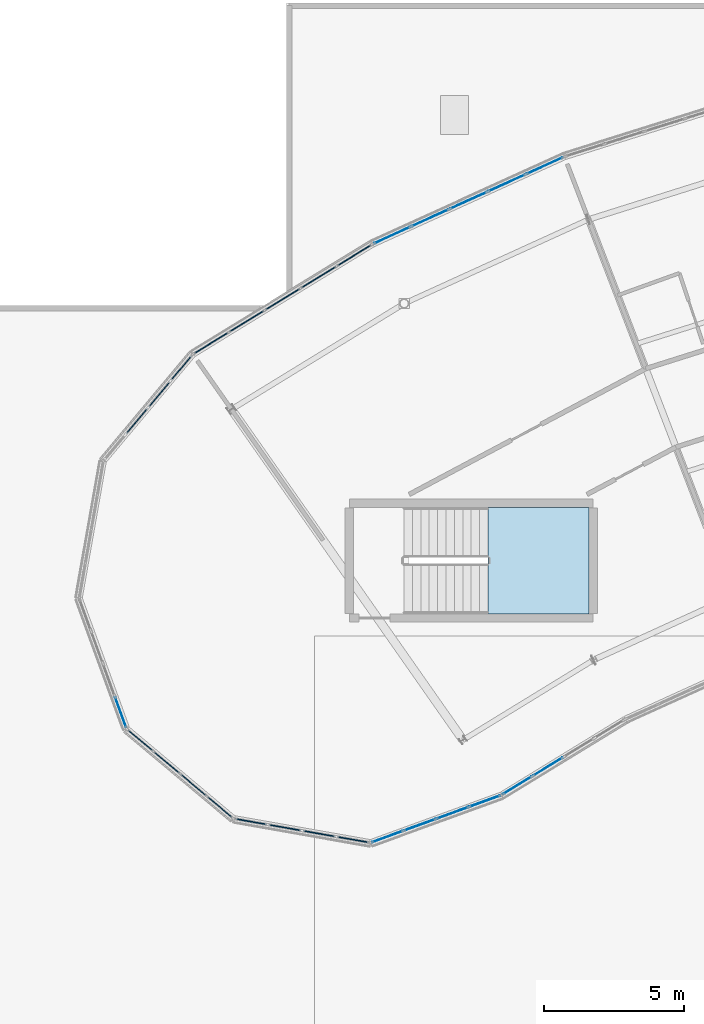
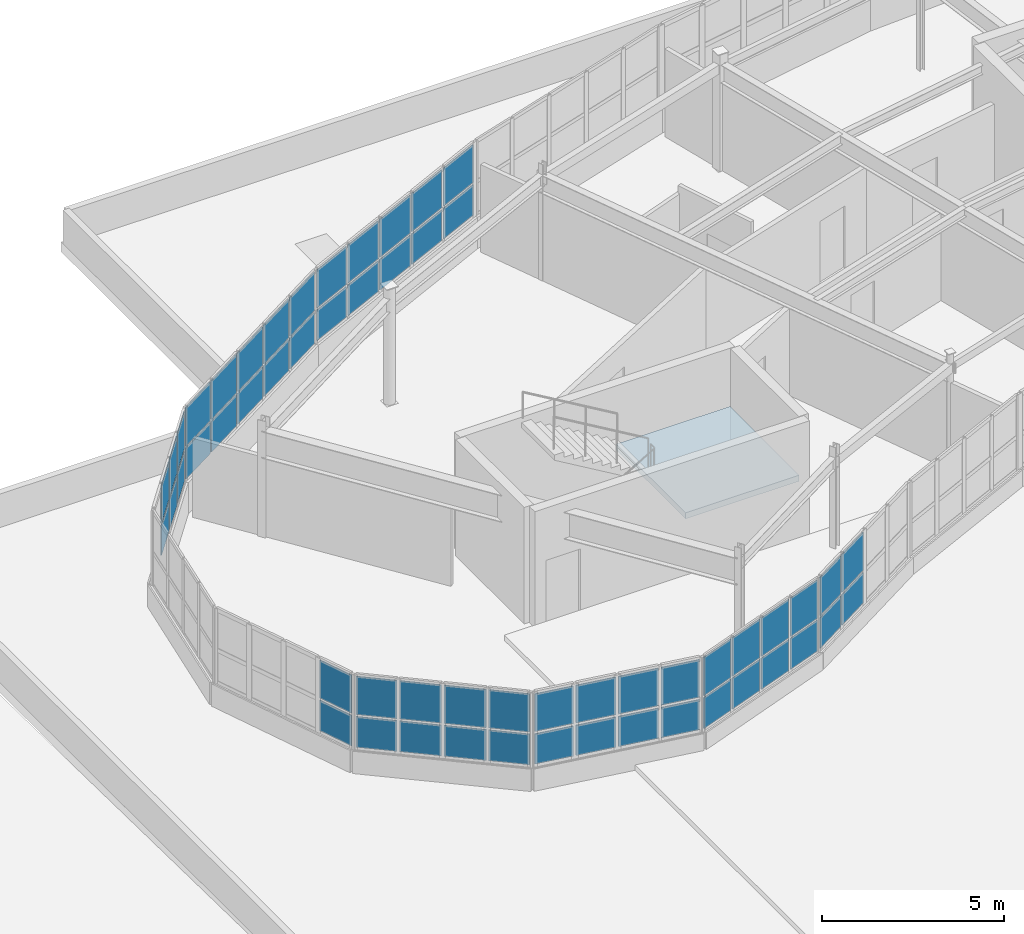
# One storey, part 74 of 128: 56 plates, 1 slab, 9 elements without a shape of their own.
"""IFC4 building model written with IfcOpenShell, lengths in metres."""

from ifc_helpers import new_model, si_unit, direction, frame, origin, origin_2d, place, context, subcontext, project, spatial, polyline, rectangle, outline, extrude, material, layer, layer_set, type_object, element, aggregate, save


model = new_model("IFC4")

# Units and contexts
model_context = context("Model", 3, precision=1e-05, world=origin(), true_north=direction((0.0, 1.0)))
body_context = subcontext(model_context, "Body", "Model", "MODEL_VIEW")
ifc_project = project(units=[si_unit("LENGTHUNIT", "METRE"), si_unit("AREAUNIT", "SQUARE_METRE"), si_unit("VOLUMEUNIT", "CUBIC_METRE"), si_unit("PLANEANGLEUNIT", "RADIAN"), si_unit("MASSUNIT", "GRAM", prefix="KILO")], contexts=[model_context])

# Site, building, storey
site_placement = place(None, origin())
site = spatial("IfcSite", under=ifc_project, at=site_placement, CompositionType="ELEMENT")
building_placement = place(site_placement, origin())
building = spatial("IfcBuilding", under=site, at=building_placement, Name="Tarnwether General Hospital", CompositionType="ELEMENT")
storey_placement = place(building_placement, frame((0.0, 0.0, 14.39990234375)))
storey = spatial("IfcBuildingStorey", under=building, at=storey_placement, Name="L03", CompositionType="ELEMENT", Elevation=14.39990234375)

# Curtain wall, plates
ifc_material_1 = material(Name="Anodised aluminium", Category="aluminium")
ifc_layer_1 = layer(ifc_material_1, 0.159912109375)
ifc_layer_set_1 = layer_set([ifc_layer_1], Name="Anodised aluminium")
curtain_wall_type_1 = type_object("IfcCurtainWallType", Name="CW-03", PredefinedType="NOTDEFINED", material=ifc_layer_set_1)
curtain_wall_1_placement = place(storey_placement, origin())
curtain_wall_1 = element("IfcCurtainWall", 1, at=curtain_wall_1_placement, inside=storey, type_object=curtain_wall_type_1, Name="Curtain Wall CWG-L03-543_1001-0002", PredefinedType="NOTDEFINED")
ifc_material_2 = material(Name="Double glazed low-E glass", Category="glass")
ifc_layer_2 = layer(ifc_material_2, 0.028076171875)
ifc_layer_set_2 = layer_set([ifc_layer_2], Name="Double glazed low-E glass")
plate_type_1 = type_object("IfcPlateType", Name="PT-CWP1", PredefinedType="CURTAIN_PANEL", material=ifc_layer_set_2)
plate_1_placement = place(storey_placement, frame((54.091552734375, 100.690185546875, 1.1201171875), z_axis=(0.0, 0.0, 1.0), x_axis=(-0.341953136469, 0.939717006582, 0.0)))
plate_1 = element("IfcPlate", 2, at=plate_1_placement, type_object=plate_type_1, Name="CW-03 panel 1.1", PredefinedType="CURTAIN_PANEL", context=body_context, shape_type="SweptSolid", body=[
    extrude(rectangle(XDim=1.13720703125, YDim=0.028076171875, at=origin_2d()), origin(), (0.0, 0.0, 1.0), 1.0244140625),
])
plate_2_placement = place(storey_placement, frame((54.091552734375, 100.690185546875, 2.214599609375), z_axis=(0.0, 0.0, 1.0), x_axis=(-0.341953136469, 0.939717006582, 0.0)))
plate_2 = element("IfcPlate", 3, at=plate_2_placement, type_object=plate_type_1, Name="CW-03 panel 1.2", PredefinedType="CURTAIN_PANEL", context=body_context, shape_type="SweptSolid", body=[
    extrude(rectangle(XDim=1.13720703125, YDim=0.028076171875, at=origin_2d()), origin(), (0.0, 0.0, 1.0), 1.275390625),
])
aggregate(curtain_wall_1, [plate_1, plate_2])

curtain_wall_2_placement = place(storey_placement, origin())
curtain_wall_2 = element("IfcCurtainWall", 4, at=curtain_wall_2_placement, inside=storey, type_object=curtain_wall_type_1, Name="Curtain Wall CWG-L03-581_969-0003", PredefinedType="NOTDEFINED")
plate_3_placement = place(storey_placement, frame((57.628662109375, 97.304931640625, 1.115234375), z_axis=(0.0, 0.0, 1.0), x_axis=(-0.765990176896, 0.64285227611, 0.0)))
plate_3 = element("IfcPlate", 5, at=plate_3_placement, type_object=plate_type_1, Name="CW-03 panel 1.1", PredefinedType="CURTAIN_PANEL", context=body_context, shape_type="SweptSolid", body=[
    extrude(rectangle(XDim=1.14501953125, YDim=0.028076171875, at=origin_2d()), origin(), (0.0, 0.0, 1.0), 1.031982421875),
])
plate_4_placement = place(storey_placement, frame((57.628662109375, 97.304931640625, 2.2119140625), z_axis=(0.0, 0.0, 1.0), x_axis=(-0.765990176896, 0.64285227611, 0.0)))
plate_4 = element("IfcPlate", 6, at=plate_4_placement, type_object=plate_type_1, Name="CW-03 panel 1.2", PredefinedType="CURTAIN_PANEL", context=body_context, shape_type="SweptSolid", body=[
    extrude(rectangle(XDim=1.14501953125, YDim=0.028076171875, at=origin_2d()), origin(), (0.0, 0.0, 1.0), 1.282958984375),
])
plate_5_placement = place(storey_placement, frame((56.689453125, 98.093017578125, 1.115234375), z_axis=(0.0, 0.0, 1.0), x_axis=(-0.765990176896, 0.64285227611, 0.0)))
plate_5 = element("IfcPlate", 7, at=plate_5_placement, type_object=plate_type_1, Name="CW-03 panel 2.1", PredefinedType="CURTAIN_PANEL", context=body_context, shape_type="SweptSolid", body=[
    extrude(rectangle(XDim=1.177490234375, YDim=0.028076171875, at=origin_2d()), origin(), (0.0, 0.0, 1.0), 1.031982421875),
])
plate_6_placement = place(storey_placement, frame((56.689453125, 98.093017578125, 2.2119140625), z_axis=(0.0, 0.0, 1.0), x_axis=(-0.765990176896, 0.64285227611, 0.0)))
plate_6 = element("IfcPlate", 8, at=plate_6_placement, type_object=plate_type_1, Name="CW-03 panel 2.2", PredefinedType="CURTAIN_PANEL", context=body_context, shape_type="SweptSolid", body=[
    extrude(rectangle(XDim=1.177490234375, YDim=0.028076171875, at=origin_2d()), origin(), (0.0, 0.0, 1.0), 1.282958984375),
])
plate_7_placement = place(storey_placement, frame((55.737548828125, 98.891845703125, 1.115234375), z_axis=(0.0, 0.0, 1.0), x_axis=(-0.765990176896, 0.64285227611, 0.0)))
plate_7 = element("IfcPlate", 9, at=plate_7_placement, type_object=plate_type_1, Name="CW-03 panel 3.1", PredefinedType="CURTAIN_PANEL", context=body_context, shape_type="SweptSolid", body=[
    extrude(rectangle(XDim=1.177490234375, YDim=0.028076171875, at=origin_2d()), origin(), (0.0, 0.0, 1.0), 1.031982421875),
])
plate_8_placement = place(storey_placement, frame((55.737548828125, 98.891845703125, 2.2119140625), z_axis=(0.0, 0.0, 1.0), x_axis=(-0.765990176896, 0.64285227611, 0.0)))
plate_8 = element("IfcPlate", 10, at=plate_8_placement, type_object=plate_type_1, Name="CW-03 panel 3.2", PredefinedType="CURTAIN_PANEL", context=body_context, shape_type="SweptSolid", body=[
    extrude(rectangle(XDim=1.177490234375, YDim=0.028076171875, at=origin_2d()), origin(), (0.0, 0.0, 1.0), 1.282958984375),
])
plate_9_placement = place(storey_placement, frame((54.79833984375, 99.68017578125, 1.115234375), z_axis=(0.0, 0.0, 1.0), x_axis=(-0.765990176896, 0.64285227611, 0.0)))
plate_9 = element("IfcPlate", 11, at=plate_9_placement, type_object=plate_type_1, Name="CW-03 panel 4.1", PredefinedType="CURTAIN_PANEL", context=body_context, shape_type="SweptSolid", body=[
    extrude(rectangle(XDim=1.14501953125, YDim=0.028076171875, at=origin_2d()), origin(), (0.0, 0.0, 1.0), 1.031982421875),
])
plate_10_placement = place(storey_placement, frame((54.79833984375, 99.68017578125, 2.2119140625), z_axis=(0.0, 0.0, 1.0), x_axis=(-0.765990176896, 0.64285227611, 0.0)))
plate_10 = element("IfcPlate", 12, at=plate_10_placement, type_object=plate_type_1, Name="CW-03 panel 4.2", PredefinedType="CURTAIN_PANEL", context=body_context, shape_type="SweptSolid", body=[
    extrude(rectangle(XDim=1.14501953125, YDim=0.028076171875, at=origin_2d()), origin(), (0.0, 0.0, 1.0), 1.282958984375),
])
aggregate(curtain_wall_2, [plate_3, plate_4, plate_5, plate_6, plate_7, plate_8, plate_9, plate_10])

curtain_wall_3_placement = place(storey_placement, origin())
curtain_wall_3 = element("IfcCurtainWall", 13, at=curtain_wall_3_placement, inside=storey, type_object=curtain_wall_type_1, Name="Curtain Wall CWG-L03-677_977-0005", PredefinedType="NOTDEFINED")
plate_11_placement = place(storey_placement, frame((67.082275390625, 97.514404296875, 1.110107421875), z_axis=(0.0, 0.0, 1.0), x_axis=(-0.939652319163, -0.342130850834, 0.0)))
plate_11 = element("IfcPlate", 14, at=plate_11_placement, type_object=plate_type_1, Name="CW-03 panel 1.1", PredefinedType="CURTAIN_PANEL", context=body_context, shape_type="SweptSolid", body=[
    extrude(rectangle(XDim=1.152099609375, YDim=0.028076171875, at=origin_2d()), origin(), (0.0, 0.0, 1.0), 1.03955078125),
])
plate_12_placement = place(storey_placement, frame((67.082275390625, 97.514404296875, 2.20947265625), z_axis=(0.0, 0.0, 1.0), x_axis=(-0.939652319163, -0.342130850834, 0.0)))
plate_12 = element("IfcPlate", 15, at=plate_12_placement, type_object=plate_type_1, Name="CW-03 panel 1.2", PredefinedType="CURTAIN_PANEL", context=body_context, shape_type="SweptSolid", body=[
    extrude(rectangle(XDim=1.152099609375, YDim=0.028076171875, at=origin_2d()), origin(), (0.0, 0.0, 1.0), 1.29052734375),
])
plate_13_placement = place(storey_placement, frame((65.92919921875, 97.094482421875, 1.110107421875), z_axis=(0.0, 0.0, 1.0), x_axis=(-0.939652319163, -0.342130850834, 0.0)))
plate_13 = element("IfcPlate", 16, at=plate_13_placement, type_object=plate_type_1, Name="CW-03 panel 2.1", PredefinedType="CURTAIN_PANEL", context=body_context, shape_type="SweptSolid", body=[
    extrude(rectangle(XDim=1.18212890625, YDim=0.028076171875, at=origin_2d()), origin(), (0.0, 0.0, 1.0), 1.03955078125),
])
plate_14_placement = place(storey_placement, frame((65.92919921875, 97.094482421875, 2.20947265625), z_axis=(0.0, 0.0, 1.0), x_axis=(-0.939652319163, -0.342130850834, 0.0)))
plate_14 = element("IfcPlate", 17, at=plate_14_placement, type_object=plate_type_1, Name="CW-03 panel 2.2", PredefinedType="CURTAIN_PANEL", context=body_context, shape_type="SweptSolid", body=[
    extrude(rectangle(XDim=1.18212890625, YDim=0.028076171875, at=origin_2d()), origin(), (0.0, 0.0, 1.0), 1.29052734375),
])
plate_15_placement = place(storey_placement, frame((64.761962890625, 96.66943359375, 1.110107421875), z_axis=(0.0, 0.0, 1.0), x_axis=(-0.939652319163, -0.342130850834, 0.0)))
plate_15 = element("IfcPlate", 18, at=plate_15_placement, type_object=plate_type_1, Name="CW-03 panel 3.1", PredefinedType="CURTAIN_PANEL", context=body_context, shape_type="SweptSolid", body=[
    extrude(rectangle(XDim=1.18212890625, YDim=0.028076171875, at=origin_2d()), origin(), (0.0, 0.0, 1.0), 1.03955078125),
])
plate_16_placement = place(storey_placement, frame((64.761962890625, 96.66943359375, 2.20947265625), z_axis=(0.0, 0.0, 1.0), x_axis=(-0.939652319163, -0.342130850834, 0.0)))
plate_16 = element("IfcPlate", 19, at=plate_16_placement, type_object=plate_type_1, Name="CW-03 panel 3.2", PredefinedType="CURTAIN_PANEL", context=body_context, shape_type="SweptSolid", body=[
    extrude(rectangle(XDim=1.18212890625, YDim=0.028076171875, at=origin_2d()), origin(), (0.0, 0.0, 1.0), 1.29052734375),
])
plate_17_placement = place(storey_placement, frame((63.608642578125, 96.24951171875, 1.110107421875), z_axis=(0.0, 0.0, 1.0), x_axis=(-0.939652319163, -0.342130850834, 0.0)))
plate_17 = element("IfcPlate", 20, at=plate_17_placement, type_object=plate_type_1, Name="CW-03 panel 4.1", PredefinedType="CURTAIN_PANEL", context=body_context, shape_type="SweptSolid", body=[
    extrude(rectangle(XDim=1.152099609375, YDim=0.028076171875, at=origin_2d()), origin(), (0.0, 0.0, 1.0), 1.03955078125),
])
plate_18_placement = place(storey_placement, frame((63.608642578125, 96.24951171875, 2.20947265625), z_axis=(0.0, 0.0, 1.0), x_axis=(-0.939652319163, -0.342130850834, 0.0)))
plate_18 = element("IfcPlate", 21, at=plate_18_placement, type_object=plate_type_1, Name="CW-03 panel 4.2", PredefinedType="CURTAIN_PANEL", context=body_context, shape_type="SweptSolid", body=[
    extrude(rectangle(XDim=1.152099609375, YDim=0.028076171875, at=origin_2d()), origin(), (0.0, 0.0, 1.0), 1.29052734375),
])
aggregate(curtain_wall_3, [plate_11, plate_12, plate_13, plate_14, plate_15, plate_16, plate_17, plate_18])

curtain_wall_4_placement = place(storey_placement, origin())
curtain_wall_4 = element("IfcCurtainWall", 22, at=curtain_wall_4_placement, inside=storey, type_object=curtain_wall_type_1, Name="Curtain Wall CWG-L03-721_1004-0006", PredefinedType="NOTDEFINED")
plate_19_placement = place(storey_placement, frame((69.335205078125, 98.746337890625, 1.1201171875), z_axis=(0.0, 0.0, 1.0), x_axis=(-0.852631789198, -0.522512231483, 0.0)))
plate_19 = element("IfcPlate", 23, at=plate_19_placement, type_object=plate_type_1, Name="CW-03 panel 3.1", PredefinedType="CURTAIN_PANEL", context=body_context, shape_type="SweptSolid", body=[
    extrude(rectangle(XDim=1.22412109375, YDim=0.028076171875, at=origin_2d()), origin(), (0.0, 0.0, 1.0), 1.0244140625),
])
plate_20_placement = place(storey_placement, frame((69.335205078125, 98.746337890625, 2.214599609375), z_axis=(0.0, 0.0, 1.0), x_axis=(-0.852631789198, -0.522512231483, 0.0)))
plate_20 = element("IfcPlate", 24, at=plate_20_placement, type_object=plate_type_1, Name="CW-03 panel 3.2", PredefinedType="CURTAIN_PANEL", context=body_context, shape_type="SweptSolid", body=[
    extrude(rectangle(XDim=1.22412109375, YDim=0.028076171875, at=origin_2d()), origin(), (0.0, 0.0, 1.0), 1.275390625),
])
plate_21_placement = place(storey_placement, frame((68.24658203125, 98.079345703125, 1.1201171875), z_axis=(0.0, 0.0, 1.0), x_axis=(-0.852631789198, -0.522512231483, 0.0)))
plate_21 = element("IfcPlate", 25, at=plate_21_placement, type_object=plate_type_1, Name="CW-03 panel 4.1", PredefinedType="CURTAIN_PANEL", context=body_context, shape_type="SweptSolid", body=[
    extrude(rectangle(XDim=1.189208984375, YDim=0.028076171875, at=origin_2d()), origin(), (0.0, 0.0, 1.0), 1.0244140625),
])
plate_22_placement = place(storey_placement, frame((68.24658203125, 98.079345703125, 2.214599609375), z_axis=(0.0, 0.0, 1.0), x_axis=(-0.852631789198, -0.522512231483, 0.0)))
plate_22 = element("IfcPlate", 26, at=plate_22_placement, type_object=plate_type_1, Name="CW-03 panel 4.2", PredefinedType="CURTAIN_PANEL", context=body_context, shape_type="SweptSolid", body=[
    extrude(rectangle(XDim=1.189208984375, YDim=0.028076171875, at=origin_2d()), origin(), (0.0, 0.0, 1.0), 1.275390625),
])
aggregate(curtain_wall_4, [plate_19, plate_20, plate_21, plate_22])

ifc_material_3 = material(Name="Anodised aluminium", Category="aluminium")
ifc_layer_3 = layer(ifc_material_3, 0.159912109375)
ifc_layer_set_3 = layer_set([ifc_layer_3], Name="Anodised aluminium")
curtain_wall_type_2 = type_object("IfcCurtainWallType", Name="CW-01", PredefinedType="NOTDEFINED", material=ifc_layer_set_3)
curtain_wall_5_placement = place(storey_placement, origin())
curtain_wall_5 = element("IfcCurtainWall", 27, at=curtain_wall_5_placement, inside=storey, type_object=curtain_wall_type_2, Name="Curtain Wall CWG-L03-631_1174-0030", PredefinedType="NOTDEFINED")
plate_23_placement = place(storey_placement, frame((63.78125, 117.709228515625, 1.1201171875), z_axis=(0.0, 0.0, 1.0), x_axis=(0.909960793886, 0.414694289316, 0.0)))
plate_23 = element("IfcPlate", 28, at=plate_23_placement, type_object=plate_type_1, Name="CW-01 panel 1.1", PredefinedType="CURTAIN_PANEL", context=body_context, shape_type="SweptSolid", body=[
    extrude(rectangle(XDim=1.399169921875, YDim=0.028076171875, at=origin_2d()), origin(), (0.0, 0.0, 1.0), 1.0244140625),
])
plate_24_placement = place(storey_placement, frame((63.78125, 117.709228515625, 2.214599609375), z_axis=(0.0, 0.0, 1.0), x_axis=(0.909960793886, 0.414694289316, 0.0)))
plate_24 = element("IfcPlate", 29, at=plate_24_placement, type_object=plate_type_1, Name="CW-01 panel 1.2", PredefinedType="CURTAIN_PANEL", context=body_context, shape_type="SweptSolid", body=[
    extrude(rectangle(XDim=1.399169921875, YDim=0.028076171875, at=origin_2d()), origin(), (0.0, 0.0, 1.0), 1.275390625),
])
plate_25_placement = place(storey_placement, frame((65.13427734375, 118.32568359375, 1.1201171875), z_axis=(0.0, 0.0, 1.0), x_axis=(0.909960793886, 0.414694289316, 0.0)))
plate_25 = element("IfcPlate", 30, at=plate_25_placement, type_object=plate_type_1, Name="CW-01 panel 2.1", PredefinedType="CURTAIN_PANEL", context=body_context, shape_type="SweptSolid", body=[
    extrude(rectangle(XDim=1.434326171875, YDim=0.028076171875, at=origin_2d()), origin(), (0.0, 0.0, 1.0), 1.0244140625),
])
plate_26_placement = place(storey_placement, frame((65.13427734375, 118.32568359375, 2.214599609375), z_axis=(0.0, 0.0, 1.0), x_axis=(0.909960793886, 0.414694289316, 0.0)))
plate_26 = element("IfcPlate", 31, at=plate_26_placement, type_object=plate_type_1, Name="CW-01 panel 2.2", PredefinedType="CURTAIN_PANEL", context=body_context, shape_type="SweptSolid", body=[
    extrude(rectangle(XDim=1.434326171875, YDim=0.028076171875, at=origin_2d()), origin(), (0.0, 0.0, 1.0), 1.275390625),
])
plate_27_placement = place(storey_placement, frame((66.5029296875, 118.949462890625, 1.1201171875), z_axis=(0.0, 0.0, 1.0), x_axis=(0.909960793886, 0.414694289316, 0.0)))
plate_27 = element("IfcPlate", 32, at=plate_27_placement, type_object=plate_type_1, Name="CW-01 panel 3.1", PredefinedType="CURTAIN_PANEL", context=body_context, shape_type="SweptSolid", body=[
    extrude(rectangle(XDim=1.434326171875, YDim=0.028076171875, at=origin_2d()), origin(), (0.0, 0.0, 1.0), 1.0244140625),
])
plate_28_placement = place(storey_placement, frame((66.5029296875, 118.949462890625, 2.214599609375), z_axis=(0.0, 0.0, 1.0), x_axis=(0.909960793886, 0.414694289316, 0.0)))
plate_28 = element("IfcPlate", 33, at=plate_28_placement, type_object=plate_type_1, Name="CW-01 panel 3.2", PredefinedType="CURTAIN_PANEL", context=body_context, shape_type="SweptSolid", body=[
    extrude(rectangle(XDim=1.434326171875, YDim=0.028076171875, at=origin_2d()), origin(), (0.0, 0.0, 1.0), 1.275390625),
])
plate_29_placement = place(storey_placement, frame((67.871826171875, 119.5732421875, 1.1201171875), z_axis=(0.0, 0.0, 1.0), x_axis=(0.909960793886, 0.414694289316, 0.0)))
plate_29 = element("IfcPlate", 34, at=plate_29_placement, type_object=plate_type_1, Name="CW-01 panel 4.1", PredefinedType="CURTAIN_PANEL", context=body_context, shape_type="SweptSolid", body=[
    extrude(rectangle(XDim=1.434326171875, YDim=0.028076171875, at=origin_2d()), origin(), (0.0, 0.0, 1.0), 1.0244140625),
])
plate_30_placement = place(storey_placement, frame((67.871826171875, 119.5732421875, 2.214599609375), z_axis=(0.0, 0.0, 1.0), x_axis=(0.909960793886, 0.414694289316, 0.0)))
plate_30 = element("IfcPlate", 35, at=plate_30_placement, type_object=plate_type_1, Name="CW-01 panel 4.2", PredefinedType="CURTAIN_PANEL", context=body_context, shape_type="SweptSolid", body=[
    extrude(rectangle(XDim=1.434326171875, YDim=0.028076171875, at=origin_2d()), origin(), (0.0, 0.0, 1.0), 1.275390625),
])
plate_31_placement = place(storey_placement, frame((69.224609375, 120.18994140625, 1.1201171875), z_axis=(0.0, 0.0, 1.0), x_axis=(0.909960793886, 0.414694289316, 0.0)))
plate_31 = element("IfcPlate", 36, at=plate_31_placement, type_object=plate_type_1, Name="CW-01 panel 5.1", PredefinedType="CURTAIN_PANEL", context=body_context, shape_type="SweptSolid", body=[
    extrude(rectangle(XDim=1.399169921875, YDim=0.028076171875, at=origin_2d()), origin(), (0.0, 0.0, 1.0), 1.0244140625),
])
plate_32_placement = place(storey_placement, frame((69.224609375, 120.18994140625, 2.214599609375), z_axis=(0.0, 0.0, 1.0), x_axis=(0.909960793886, 0.414694289316, 0.0)))
plate_32 = element("IfcPlate", 37, at=plate_32_placement, type_object=plate_type_1, Name="CW-01 panel 5.2", PredefinedType="CURTAIN_PANEL", context=body_context, shape_type="SweptSolid", body=[
    extrude(rectangle(XDim=1.399169921875, YDim=0.028076171875, at=origin_2d()), origin(), (0.0, 0.0, 1.0), 1.275390625),
])
aggregate(curtain_wall_5, [plate_23, plate_24, plate_25, plate_26, plate_27, plate_28, plate_29, plate_30, plate_31, plate_32])

curtain_wall_6_placement = place(storey_placement, origin())
curtain_wall_6 = element("IfcCurtainWall", 38, at=curtain_wall_6_placement, inside=storey, type_object=curtain_wall_type_1, Name="Curtain Wall CWG-L03-535_1097-0032", PredefinedType="NOTDEFINED")
plate_33_placement = place(storey_placement, frame((54.671142578125, 111.08056640625, 1.1298828125), z_axis=(0.0, 0.0, 1.0), x_axis=(0.64285227611, 0.765990176896, 0.0)))
plate_33 = element("IfcPlate", 39, at=plate_33_placement, type_object=plate_type_1, Name="CW-03 panel 2.1", PredefinedType="CURTAIN_PANEL", context=body_context, shape_type="SweptSolid", body=[
    extrude(rectangle(XDim=1.16259765625, YDim=0.028076171875, at=origin_2d()), origin(), (0.0, 0.0, 1.0), 1.009521484375),
])
plate_34_placement = place(storey_placement, frame((54.671142578125, 111.08056640625, 2.2197265625), z_axis=(0.0, 0.0, 1.0), x_axis=(0.64285227611, 0.765990176896, 0.0)))
plate_34 = element("IfcPlate", 40, at=plate_34_placement, type_object=plate_type_1, Name="CW-03 panel 2.2", PredefinedType="CURTAIN_PANEL", context=body_context, shape_type="SweptSolid", body=[
    extrude(rectangle(XDim=1.16259765625, YDim=0.028076171875, at=origin_2d()), origin(), (0.0, 0.0, 1.0), 1.260498046875),
])
plate_35_placement = place(storey_placement, frame((55.469970703125, 112.032470703125, 1.1298828125), z_axis=(0.0, 0.0, 1.0), x_axis=(0.64285227611, 0.765990176896, 0.0)))
plate_35 = element("IfcPlate", 41, at=plate_35_placement, type_object=plate_type_1, Name="CW-03 panel 3.1", PredefinedType="CURTAIN_PANEL", context=body_context, shape_type="SweptSolid", body=[
    extrude(rectangle(XDim=1.16259765625, YDim=0.028076171875, at=origin_2d()), origin(), (0.0, 0.0, 1.0), 1.009521484375),
])
plate_36_placement = place(storey_placement, frame((55.469970703125, 112.032470703125, 2.2197265625), z_axis=(0.0, 0.0, 1.0), x_axis=(0.64285227611, 0.765990176896, 0.0)))
plate_36 = element("IfcPlate", 42, at=plate_36_placement, type_object=plate_type_1, Name="CW-03 panel 3.2", PredefinedType="CURTAIN_PANEL", context=body_context, shape_type="SweptSolid", body=[
    extrude(rectangle(XDim=1.16259765625, YDim=0.028076171875, at=origin_2d()), origin(), (0.0, 0.0, 1.0), 1.260498046875),
])
plate_37_placement = place(storey_placement, frame((56.255859375, 112.96875, 1.1298828125), z_axis=(0.0, 0.0, 1.0), x_axis=(0.64285227611, 0.765990176896, 0.0)))
plate_37 = element("IfcPlate", 43, at=plate_37_placement, type_object=plate_type_1, Name="CW-03 panel 4.1", PredefinedType="CURTAIN_PANEL", context=body_context, shape_type="SweptSolid", body=[
    extrude(rectangle(XDim=1.12255859375, YDim=0.028076171875, at=origin_2d()), origin(), (0.0, 0.0, 1.0), 1.009521484375),
])
plate_38_placement = place(storey_placement, frame((56.255859375, 112.96875, 2.2197265625), z_axis=(0.0, 0.0, 1.0), x_axis=(0.64285227611, 0.765990176896, 0.0)))
plate_38 = element("IfcPlate", 44, at=plate_38_placement, type_object=plate_type_1, Name="CW-03 panel 4.2", PredefinedType="CURTAIN_PANEL", context=body_context, shape_type="SweptSolid", body=[
    extrude(rectangle(XDim=1.12255859375, YDim=0.028076171875, at=origin_2d()), origin(), (0.0, 0.0, 1.0), 1.260498046875),
])
aggregate(curtain_wall_6, [plate_33, plate_34, plate_35, plate_36, plate_37, plate_38])

curtain_wall_7_placement = place(storey_placement, origin())
curtain_wall_7 = element("IfcCurtainWall", 45, at=curtain_wall_7_placement, inside=storey, type_object=curtain_wall_type_1, Name="Curtain Wall CWG-L03-630_960-0004", PredefinedType="NOTDEFINED")
ifc_material_4 = material(Name="Double glazed low-E glass", Category="glass")
ifc_layer_4 = layer(ifc_material_4, 0.035888671875)
ifc_layer_set_4 = layer_set([ifc_layer_4], Name="Double glazed low-E glass")
plate_type_2 = type_object("IfcPlateType", Name="PT-CWP2", PredefinedType="CURTAIN_PANEL", material=ifc_layer_set_4)
plate_39_placement = place(storey_placement, frame((62.379638671875, 96.143310546875, 1.1298828125), z_axis=(0.0, 0.0, 1.0), x_axis=(-0.984805834268, 0.173659059054, 0.0)))
plate_39 = element("IfcPlate", 46, at=plate_39_placement, type_object=plate_type_2, Name="CW-03 panel 1.1", PredefinedType="CURTAIN_PANEL", context=body_context, shape_type="SweptSolid", body=[
    extrude(rectangle(XDim=1.122314453125, YDim=0.035888671875, at=origin_2d()), origin(), (0.0, 0.0, 1.0), 1.009521484375),
])
plate_40_placement = place(storey_placement, frame((62.379638671875, 96.143310546875, 2.2197265625), z_axis=(0.0, 0.0, 1.0), x_axis=(-0.984805834268, 0.173659059054, 0.0)))
plate_40 = element("IfcPlate", 47, at=plate_40_placement, type_object=plate_type_2, Name="CW-03 panel 1.2", PredefinedType="CURTAIN_PANEL", context=body_context, shape_type="SweptSolid", body=[
    extrude(rectangle(XDim=1.122314453125, YDim=0.035888671875, at=origin_2d()), origin(), (0.0, 0.0, 1.0), 1.260498046875),
])
plate_41_placement = place(storey_placement, frame((61.17578125, 96.355712890625, 1.1298828125), z_axis=(0.0, 0.0, 1.0), x_axis=(-0.984805834268, 0.173659059054, 0.0)))
plate_41 = element("IfcPlate", 48, at=plate_41_placement, type_object=plate_type_2, Name="CW-03 panel 2.1", PredefinedType="CURTAIN_PANEL", context=body_context, shape_type="SweptSolid", body=[
    extrude(rectangle(XDim=1.162353515625, YDim=0.035888671875, at=origin_2d()), origin(), (0.0, 0.0, 1.0), 1.009521484375),
])
plate_42_placement = place(storey_placement, frame((61.17578125, 96.355712890625, 2.2197265625), z_axis=(0.0, 0.0, 1.0), x_axis=(-0.984805834268, 0.173659059054, 0.0)))
plate_42 = element("IfcPlate", 49, at=plate_42_placement, type_object=plate_type_2, Name="CW-03 panel 2.2", PredefinedType="CURTAIN_PANEL", context=body_context, shape_type="SweptSolid", body=[
    extrude(rectangle(XDim=1.162353515625, YDim=0.035888671875, at=origin_2d()), origin(), (0.0, 0.0, 1.0), 1.260498046875),
])
plate_43_placement = place(storey_placement, frame((59.9521484375, 96.5712890625, 1.1298828125), z_axis=(0.0, 0.0, 1.0), x_axis=(-0.984805834268, 0.173659059054, 0.0)))
plate_43 = element("IfcPlate", 50, at=plate_43_placement, type_object=plate_type_2, Name="CW-03 panel 3.1", PredefinedType="CURTAIN_PANEL", context=body_context, shape_type="SweptSolid", body=[
    extrude(rectangle(XDim=1.162353515625, YDim=0.035888671875, at=origin_2d()), origin(), (0.0, 0.0, 1.0), 1.009521484375),
])
plate_44_placement = place(storey_placement, frame((59.9521484375, 96.5712890625, 2.2197265625), z_axis=(0.0, 0.0, 1.0), x_axis=(-0.984805834268, 0.173659059054, 0.0)))
plate_44 = element("IfcPlate", 51, at=plate_44_placement, type_object=plate_type_2, Name="CW-03 panel 3.2", PredefinedType="CURTAIN_PANEL", context=body_context, shape_type="SweptSolid", body=[
    extrude(rectangle(XDim=1.162353515625, YDim=0.035888671875, at=origin_2d()), origin(), (0.0, 0.0, 1.0), 1.260498046875),
])
plate_45_placement = place(storey_placement, frame((58.74853515625, 96.78369140625, 1.1298828125), z_axis=(0.0, 0.0, 1.0), x_axis=(-0.984805834268, 0.173659059054, 0.0)))
plate_45 = element("IfcPlate", 52, at=plate_45_placement, type_object=plate_type_2, Name="CW-03 panel 4.1", PredefinedType="CURTAIN_PANEL", context=body_context, shape_type="SweptSolid", body=[
    extrude(rectangle(XDim=1.122314453125, YDim=0.035888671875, at=origin_2d()), origin(), (0.0, 0.0, 1.0), 1.009521484375),
])
plate_46_placement = place(storey_placement, frame((58.74853515625, 96.78369140625, 2.2197265625), z_axis=(0.0, 0.0, 1.0), x_axis=(-0.984805834268, 0.173659059054, 0.0)))
plate_46 = element("IfcPlate", 53, at=plate_46_placement, type_object=plate_type_2, Name="CW-03 panel 4.2", PredefinedType="CURTAIN_PANEL", context=body_context, shape_type="SweptSolid", body=[
    extrude(rectangle(XDim=1.122314453125, YDim=0.035888671875, at=origin_2d()), origin(), (0.0, 0.0, 1.0), 1.260498046875),
])
aggregate(curtain_wall_7, [plate_39, plate_40, plate_41, plate_42, plate_43, plate_44, plate_45, plate_46])

curtain_wall_8_placement = place(storey_placement, origin())
curtain_wall_8 = element("IfcCurtainWall", 54, at=curtain_wall_8_placement, inside=storey, type_object=curtain_wall_type_2, Name="Curtain Wall CWG-L03-567_1135-0031", PredefinedType="NOTDEFINED")
plate_47_placement = place(storey_placement, frame((57.3232421875, 113.861572265625, 1.115234375), z_axis=(0.0, 0.0, 1.0), x_axis=(0.852633734977, 0.522509056361, 0.0)))
plate_47 = element("IfcPlate", 55, at=plate_47_placement, type_object=plate_type_2, Name="CW-01 panel 1.1", PredefinedType="CURTAIN_PANEL", context=body_context, shape_type="SweptSolid", body=[
    extrude(rectangle(XDim=1.40673828125, YDim=0.035888671875, at=origin_2d()), origin(), (0.0, 0.0, 1.0), 1.031982421875),
])
plate_48_placement = place(storey_placement, frame((57.3232421875, 113.861572265625, 2.2119140625), z_axis=(0.0, 0.0, 1.0), x_axis=(0.852633734977, 0.522509056361, 0.0)))
plate_48 = element("IfcPlate", 56, at=plate_48_placement, type_object=plate_type_2, Name="CW-01 panel 1.2", PredefinedType="CURTAIN_PANEL", context=body_context, shape_type="SweptSolid", body=[
    extrude(rectangle(XDim=1.40673828125, YDim=0.035888671875, at=origin_2d()), origin(), (0.0, 0.0, 1.0), 1.282958984375),
])
plate_49_placement = place(storey_placement, frame((58.591796875, 114.638916015625, 1.115234375), z_axis=(0.0, 0.0, 1.0), x_axis=(0.852633734977, 0.522509056361, 0.0)))
plate_49 = element("IfcPlate", 57, at=plate_49_placement, type_object=plate_type_2, Name="CW-01 panel 2.1", PredefinedType="CURTAIN_PANEL", context=body_context, shape_type="SweptSolid", body=[
    extrude(rectangle(XDim=1.439208984375, YDim=0.035888671875, at=origin_2d()), origin(), (0.0, 0.0, 1.0), 1.031982421875),
])
plate_50_placement = place(storey_placement, frame((58.591796875, 114.638916015625, 2.2119140625), z_axis=(0.0, 0.0, 1.0), x_axis=(0.852633734977, 0.522509056361, 0.0)))
plate_50 = element("IfcPlate", 58, at=plate_50_placement, type_object=plate_type_2, Name="CW-01 panel 2.2", PredefinedType="CURTAIN_PANEL", context=body_context, shape_type="SweptSolid", body=[
    extrude(rectangle(XDim=1.439208984375, YDim=0.035888671875, at=origin_2d()), origin(), (0.0, 0.0, 1.0), 1.282958984375),
])
plate_51_placement = place(storey_placement, frame((59.87451171875, 115.425048828125, 1.115234375), z_axis=(0.0, 0.0, 1.0), x_axis=(0.852633734977, 0.522509056361, 0.0)))
plate_51 = element("IfcPlate", 59, at=plate_51_placement, type_object=plate_type_2, Name="CW-01 panel 3.1", PredefinedType="CURTAIN_PANEL", context=body_context, shape_type="SweptSolid", body=[
    extrude(rectangle(XDim=1.439208984375, YDim=0.035888671875, at=origin_2d()), origin(), (0.0, 0.0, 1.0), 1.031982421875),
])
plate_52_placement = place(storey_placement, frame((59.87451171875, 115.425048828125, 2.2119140625), z_axis=(0.0, 0.0, 1.0), x_axis=(0.852633734977, 0.522509056361, 0.0)))
plate_52 = element("IfcPlate", 60, at=plate_52_placement, type_object=plate_type_2, Name="CW-01 panel 3.2", PredefinedType="CURTAIN_PANEL", context=body_context, shape_type="SweptSolid", body=[
    extrude(rectangle(XDim=1.439208984375, YDim=0.035888671875, at=origin_2d()), origin(), (0.0, 0.0, 1.0), 1.282958984375),
])
plate_53_placement = place(storey_placement, frame((61.156982421875, 116.2109375, 1.115234375), z_axis=(0.0, 0.0, 1.0), x_axis=(0.852633734977, 0.522509056361, 0.0)))
plate_53 = element("IfcPlate", 61, at=plate_53_placement, type_object=plate_type_2, Name="CW-01 panel 4.1", PredefinedType="CURTAIN_PANEL", context=body_context, shape_type="SweptSolid", body=[
    extrude(rectangle(XDim=1.439208984375, YDim=0.035888671875, at=origin_2d()), origin(), (0.0, 0.0, 1.0), 1.031982421875),
])
plate_54_placement = place(storey_placement, frame((61.156982421875, 116.2109375, 2.2119140625), z_axis=(0.0, 0.0, 1.0), x_axis=(0.852633734977, 0.522509056361, 0.0)))
plate_54 = element("IfcPlate", 62, at=plate_54_placement, type_object=plate_type_2, Name="CW-01 panel 4.2", PredefinedType="CURTAIN_PANEL", context=body_context, shape_type="SweptSolid", body=[
    extrude(rectangle(XDim=1.439208984375, YDim=0.035888671875, at=origin_2d()), origin(), (0.0, 0.0, 1.0), 1.282958984375),
])
plate_55_placement = place(storey_placement, frame((62.42578125, 116.988525390625, 1.115234375), z_axis=(0.0, 0.0, 1.0), x_axis=(0.852633734977, 0.522509056361, 0.0)))
plate_55 = element("IfcPlate", 63, at=plate_55_placement, type_object=plate_type_2, Name="CW-01 panel 5.1", PredefinedType="CURTAIN_PANEL", context=body_context, shape_type="SweptSolid", body=[
    extrude(rectangle(XDim=1.40673828125, YDim=0.035888671875, at=origin_2d()), origin(), (0.0, 0.0, 1.0), 1.031982421875),
])
plate_56_placement = place(storey_placement, frame((62.42578125, 116.988525390625, 2.2119140625), z_axis=(0.0, 0.0, 1.0), x_axis=(0.852633734977, 0.522509056361, 0.0)))
plate_56 = element("IfcPlate", 64, at=plate_56_placement, type_object=plate_type_2, Name="CW-01 panel 5.2", PredefinedType="CURTAIN_PANEL", context=body_context, shape_type="SweptSolid", body=[
    extrude(rectangle(XDim=1.40673828125, YDim=0.035888671875, at=origin_2d()), origin(), (0.0, 0.0, 1.0), 1.282958984375),
])
aggregate(curtain_wall_8, [plate_47, plate_48, plate_49, plate_50, plate_51, plate_52, plate_53, plate_54, plate_55, plate_56])

# Stair, slab
ifc_material_5 = material(Name="Concrete 40 MPa", Category="concrete")
stair_type = type_object("IfcStairType", Name="ST-DL39A", PredefinedType="HALF_TURN_STAIR", material=ifc_material_5)
stair_placement = place(storey_placement, origin())
stair = element("IfcStair", 65, at=stair_placement, inside=storey, type_object=stair_type, Name="L03 Exit Stair ST-07", PredefinedType="HALF_TURN_STAIR")
ifc_material_6 = material(Name="Concrete 40 MPa", Category="concrete")
ifc_layer_5 = layer(ifc_material_6, 0.199951171875)
ifc_layer_set_5 = layer_set([ifc_layer_5], Name="Concrete 40 MPa")
slab_type = type_object("IfcSlabType", Name="SL-LD200", PredefinedType="LANDING", material=ifc_layer_set_5)
slab_placement = place(storey_placement, frame((0.0, 0.0, 1.75)))
slab = element("IfcSlab", 66, at=slab_placement, type_object=slab_type, Name="ST-07 landing 1", PredefinedType="LANDING", context=body_context, shape_type="SweptSolid", body=[
    extrude(outline(polyline([(67.199951171875, 104.199951171875), (70.800048828125, 104.199951171875), (70.800048828125, 108.0), (67.199951171875, 108.0), (67.199951171875, 104.199951171875)])), origin(), (0.0, 0.0, 1.0), 0.2001953125),
])
aggregate(stair, [slab])

save(model, "model.ifc")
